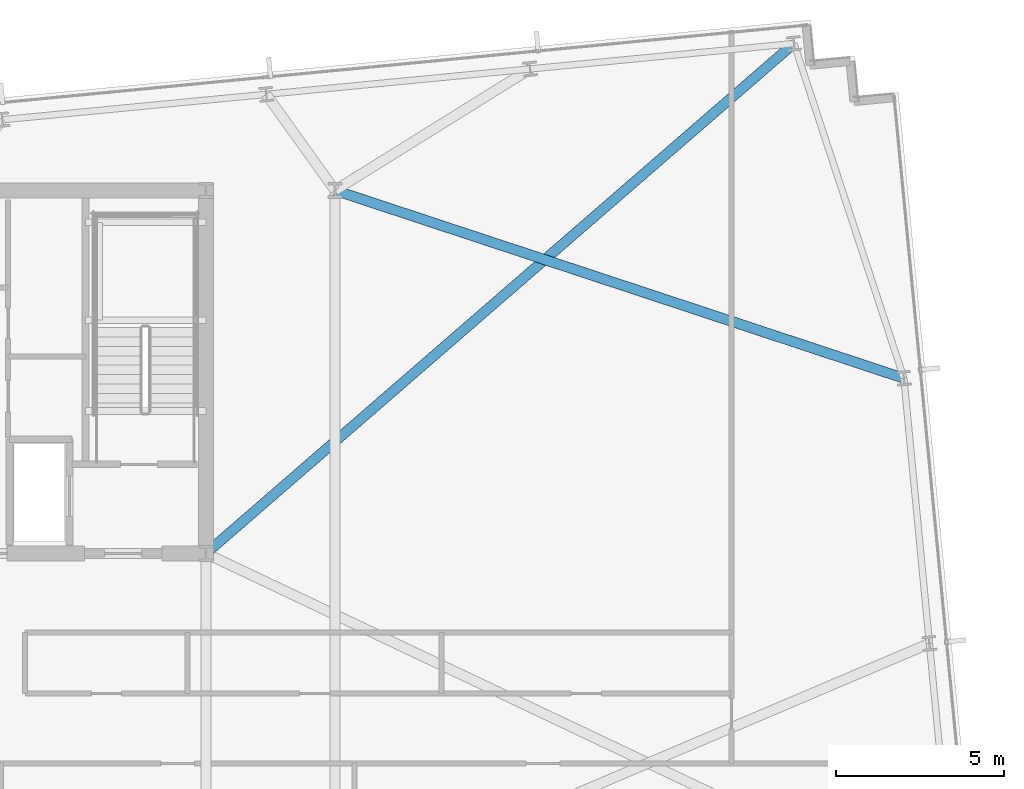
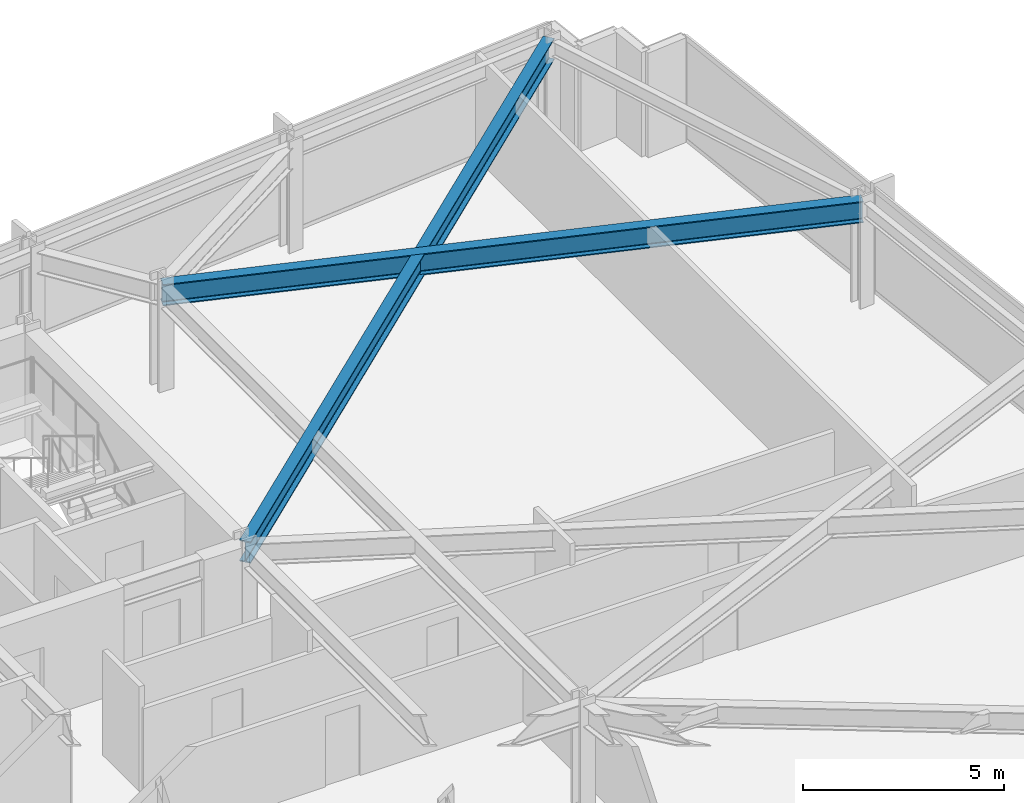
# One storey, part 22 of 32: 2 beams.
"""IFC4 building model written with IfcOpenShell, lengths in metres."""

from ifc_helpers import new_model, si_unit, direction, frame, origin, origin_2d, place, context, subcontext, project, spatial, i_section, extrude, material, material_profile, profile_set, type_object, element, save


model = new_model("IFC4")

# Units and contexts
model_context = context("Model", 3, precision=1e-05, world=origin(), true_north=direction((0.0, 1.0)))
body_context = subcontext(model_context, "Body", "Model", "MODEL_VIEW")
ifc_project = project(units=[si_unit("LENGTHUNIT", "METRE"), si_unit("AREAUNIT", "SQUARE_METRE"), si_unit("VOLUMEUNIT", "CUBIC_METRE"), si_unit("PLANEANGLEUNIT", "RADIAN"), si_unit("MASSUNIT", "GRAM", prefix="KILO")], contexts=[model_context])

# Site, building, storey
site_placement = place(None, origin())
site = spatial("IfcSite", under=ifc_project, at=site_placement, CompositionType="ELEMENT")
building_placement = place(site_placement, origin())
building = spatial("IfcBuilding", under=site, at=building_placement, Name="Yelkora Congress Tower", CompositionType="ELEMENT")
storey_placement = place(building_placement, frame((0.0, 0.0, 113.5)))
storey = spatial("IfcBuildingStorey", under=building, at=storey_placement, Name="L30", CompositionType="ELEMENT", Elevation=113.5)

# Beams
ifc_material = material(Name="Steel S355J2", Category="steel")
ifc_material_profile = material_profile(ifc_material, i_section(OverallWidth=0.300048828125, OverallDepth=0.64990234375, WebThickness=0.01611328125, FlangeThickness=0.031005859375, FilletRadius=0.027099609375, at=origin_2d()), Name="HEB 650")
ifc_profile_set = profile_set([ifc_material_profile], Name="Steel S355J2")
beam_type = type_object("IfcBeamType", Name="BM-GIRD-HEB650", PredefinedType="BEAM", material=ifc_profile_set)
beam_1_placement = place(storey_placement, frame((71.252685546875, 50.568115234375, 2.85498046875), z_axis=(-0.755520317406, -0.655125217029, 0.0), x_axis=(0.655125217029, -0.755520317406, 0.0)))
element("IfcBeam", 1, at=beam_1_placement, inside=storey, type_object=beam_type, Name="L30 Primary Frame Girder N08", PredefinedType="BEAM", context=body_context, shape_type="SweptSolid", body=[
    extrude(i_section(OverallWidth=0.300048828125, OverallDepth=0.64990234375, WebThickness=0.01611328125, FlangeThickness=0.031005859375, FilletRadius=0.027099609375, at=origin_2d()), origin(), (0.0, 0.0, 1.0), 23.153076171875),
])
beam_2_placement = place(storey_placement, frame((74.522216796875, 40.610595703125, 2.85498046875), z_axis=(-0.949544183597, 0.313633294465, 0.0), x_axis=(-0.313633294465, -0.949544183597, 0.0)))
element("IfcBeam", 2, at=beam_2_placement, inside=storey, type_object=beam_type, Name="L30 Primary Frame Girder E03", PredefinedType="BEAM", context=body_context, shape_type="SweptSolid", body=[
    extrude(i_section(OverallWidth=0.300048828125, OverallDepth=0.64990234375, WebThickness=0.01611328125, FlangeThickness=0.031005859375, FilletRadius=0.027099609375, at=origin_2d()), origin(), (0.0, 0.0, 1.0), 17.8212890625),
])

save(model, "model.ifc")
